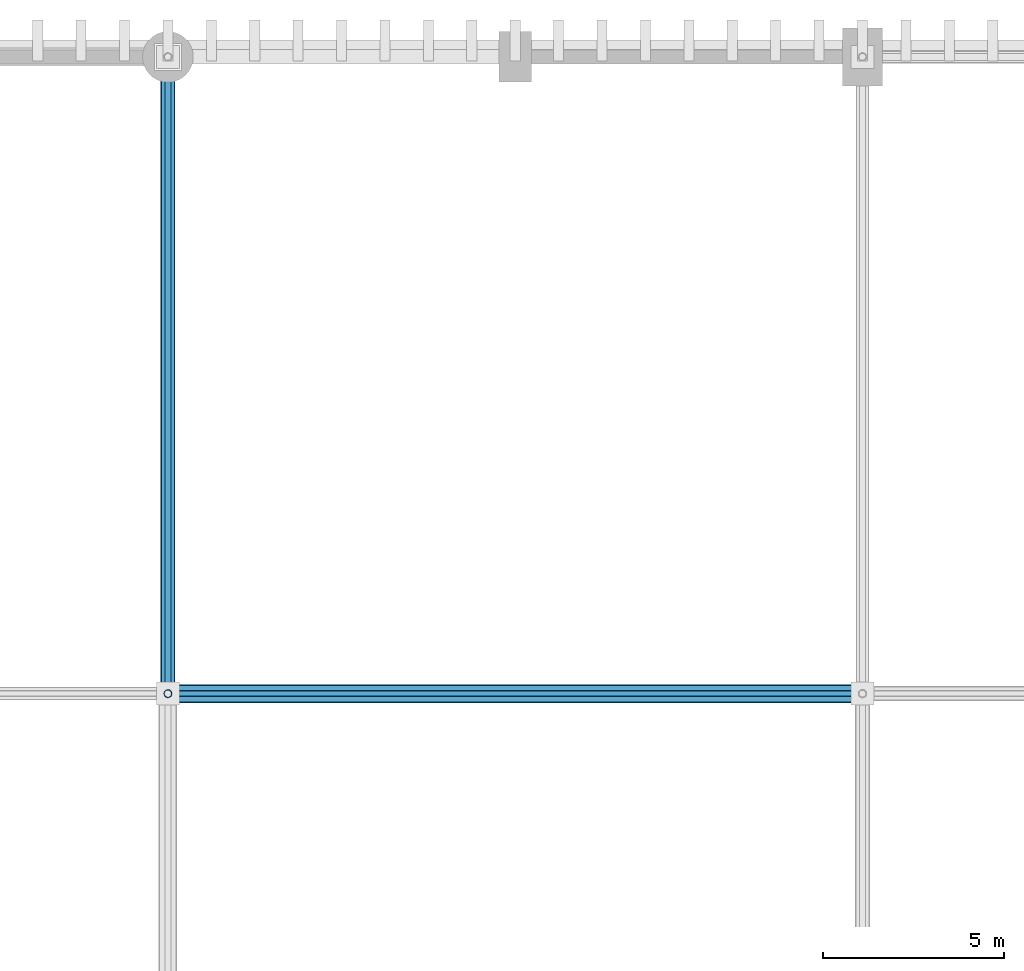
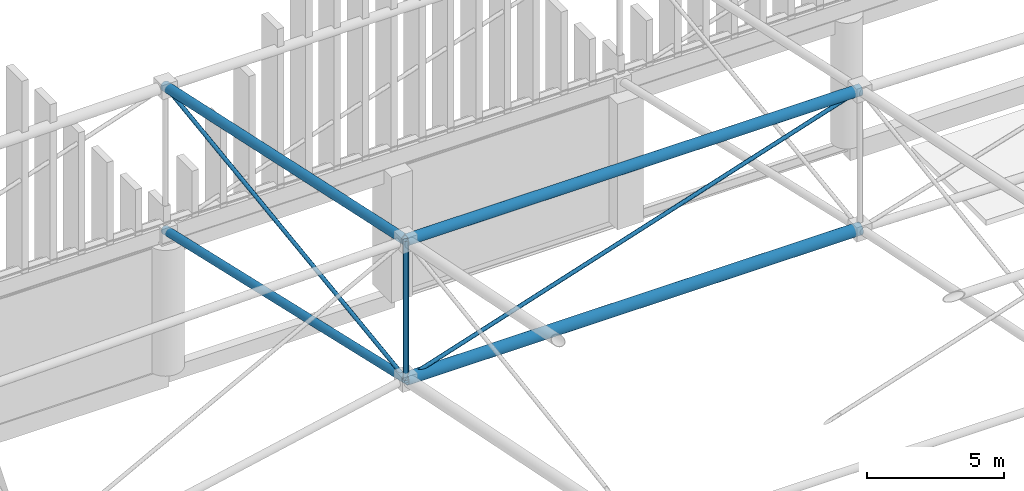
# One storey, part 123 of 193: 7 members.
"""IFC4 building model written with IfcOpenShell, lengths in metres."""

from ifc_helpers import new_model, si_unit, direction, frame, origin, origin_2d, place, context, subcontext, project, spatial, hollow_circle, extrude, material, material_profile, profile_set, type_object, element, save


model = new_model("IFC4")

# Units and contexts
model_context = context("Model", 3, precision=1e-05, world=origin(), true_north=direction((0.0, 1.0)))
body_context = subcontext(model_context, "Body", "Model", "MODEL_VIEW")
ifc_project = project(units=[si_unit("LENGTHUNIT", "METRE"), si_unit("AREAUNIT", "SQUARE_METRE"), si_unit("VOLUMEUNIT", "CUBIC_METRE"), si_unit("PLANEANGLEUNIT", "RADIAN"), si_unit("MASSUNIT", "GRAM", prefix="KILO")], contexts=[model_context])

# Site, building, storey
site_placement = place(None, origin())
site = spatial("IfcSite", under=ifc_project, at=site_placement, CompositionType="ELEMENT")
building_placement = place(site_placement, origin())
building = spatial("IfcBuilding", under=site, at=building_placement, Name="Danafjord Basin Convention Centre", CompositionType="ELEMENT")
storey_placement = place(building_placement, frame((0.0, 0.0, 11.39990234375)))
storey = spatial("IfcBuildingStorey", under=building, at=storey_placement, Name="L02", CompositionType="ELEMENT", Elevation=11.39990234375)

# Members
ifc_material = material(Name="Steel S355", Category="steel")
ifc_material_profile_1 = material_profile(ifc_material, hollow_circle(Radius=0.177734375, WallThickness=0.01611328125, at=origin_2d()), Name="CHS 355.6x16.0")
ifc_profile_set_1 = profile_set([ifc_material_profile_1], Name="Steel S355")
member_type_1 = type_object("IfcMemberType", Name="MEM-CH-CHS355", PredefinedType="CHORD", material=ifc_profile_set_1)
member_1_placement = place(storey_placement, frame((19.199951171875, 126.39990234375, 10.07080078125), z_axis=(0.0, 0.97488409866, -0.222712806503), x_axis=(-1.0, 0.0, 0.0)))
element("IfcMember", 1, at=member_1_placement, inside=storey, type_object=member_type_1, Name="V1 roof truss transverse bottom chord", PredefinedType="CHORD", context=body_context, shape_type="SweptSolid", body=[
    extrude(hollow_circle(Radius=0.177734375, WallThickness=0.01611328125, at=origin_2d()), origin(), (0.0, 0.0, 1.0), 18.053466796875),
])
ifc_material_profile_2 = material_profile(ifc_material, hollow_circle(Radius=0.203125, WallThickness=0.02001953125, at=origin_2d()), Name="CHS 406.4x20.0")
ifc_profile_set_2 = profile_set([ifc_material_profile_2], Name="Steel S355")
member_type_2 = type_object("IfcMemberType", Name="MEM-CH-CHS406", PredefinedType="CHORD", material=ifc_profile_set_2)
member_2_placement = place(storey_placement, frame((19.199951171875, 126.39990234375, 16.27099609375), z_axis=(0.0, 0.977523345498, -0.210827201773), x_axis=(-1.0, 0.0, 0.0)))
element("IfcMember", 2, at=member_2_placement, inside=storey, type_object=member_type_2, Name="V1 roof truss transverse top chord", PredefinedType="CHORD", context=body_context, shape_type="SweptSolid", body=[
    extrude(hollow_circle(Radius=0.203125, WallThickness=0.02001953125, at=origin_2d()), origin(), (0.0, 0.0, 1.0), 18.0048828125),
])
ifc_material_profile_3 = material_profile(ifc_material, hollow_circle(Radius=0.228515625, WallThickness=0.02001953125, at=origin_2d()), Name="CHS 457.0x20.0")
ifc_profile_set_3 = profile_set([ifc_material_profile_3], Name="Steel S355")
member_type_3 = type_object("IfcMemberType", Name="MEM-CH-CHS457", PredefinedType="CHORD", material=ifc_profile_set_3)
member_3_placement = place(storey_placement, frame((19.199951171875, 126.39990234375, 16.27099609375), z_axis=(1.0, 0.0, 0.0), x_axis=(0.0, 1.0, 0.0)))
element("IfcMember", 3, at=member_3_placement, inside=storey, type_object=member_type_3, Name="V1 roof truss longitudinal top chord", PredefinedType="CHORD", context=body_context, shape_type="SweptSolid", body=[
    extrude(hollow_circle(Radius=0.228515625, WallThickness=0.02001953125, at=origin_2d()), origin(), (0.0, 0.0, 1.0), 19.199951171875),
])
ifc_material_profile_4 = material_profile(ifc_material, hollow_circle(Radius=0.25390625, WallThickness=0.02490234375, at=origin_2d()), Name="CHS 508.0x25.0")
ifc_profile_set_4 = profile_set([ifc_material_profile_4], Name="Steel S355")
member_type_4 = type_object("IfcMemberType", Name="MEM-CH-CHS508", PredefinedType="CHORD", material=ifc_profile_set_4)
member_4_placement = place(storey_placement, frame((19.199951171875, 126.39990234375, 10.07080078125), z_axis=(1.0, 0.0, 0.0), x_axis=(0.0, 1.0, 0.0)))
element("IfcMember", 4, at=member_4_placement, inside=storey, type_object=member_type_4, Name="V1 roof truss longitudinal bottom chord", PredefinedType="CHORD", context=body_context, shape_type="SweptSolid", body=[
    extrude(hollow_circle(Radius=0.25390625, WallThickness=0.02490234375, at=origin_2d()), origin(), (0.0, 0.0, 1.0), 19.199951171875),
])
ifc_material_profile_5 = material_profile(ifc_material, hollow_circle(Radius=0.109619140625, WallThickness=0.010009765625, at=origin_2d()), Name="CHS 219.1x10.0")
ifc_profile_set_5 = profile_set([ifc_material_profile_5], Name="Steel S355")
member_type_5 = type_object("IfcMemberType", Name="MEM-ST-CHS219", PredefinedType="STRUT", material=ifc_profile_set_5)
member_5_placement = place(storey_placement, frame((19.199951171875, 126.39990234375, 10.07080078125), z_axis=(0.0, 0.0, 1.0), x_axis=(1.0, 0.0, 0.0)))
element("IfcMember", 5, at=member_5_placement, inside=storey, type_object=member_type_5, Name="V1 roof truss vertical strut", PredefinedType="STRUT", context=body_context, shape_type="SweptSolid", body=[
    extrude(hollow_circle(Radius=0.109619140625, WallThickness=0.010009765625, at=origin_2d()), origin(), (0.0, 0.0, 1.0), 6.2001953125),
])
ifc_material_profile_6 = material_profile(ifc_material, hollow_circle(Radius=0.084228515625, WallThickness=0.008056640625, at=origin_2d()), Name="CHS 168.3x8.0")
ifc_profile_set_6 = profile_set([ifc_material_profile_6], Name="Steel S355")
member_type_6 = type_object("IfcMemberType", Name="MEM-WB-CHS168", PredefinedType="MEMBER", material=ifc_profile_set_6)
member_6_placement = place(storey_placement, frame((19.199951171875, 126.39990234375, 10.07080078125), z_axis=(0.951612086859, 0.0, 0.307301864856), x_axis=(0.0, 1.0, 0.0)))
element("IfcMember", 6, at=member_6_placement, inside=storey, type_object=member_type_6, Name="V1 space-frame longitudinal web", PredefinedType="MEMBER", context=body_context, shape_type="SweptSolid", body=[
    extrude(hollow_circle(Radius=0.084228515625, WallThickness=0.008056640625, at=origin_2d()), origin(), (0.0, 0.0, 1.0), 20.17626953125),
])
member_7_placement = place(storey_placement, frame((19.199951171875, 126.39990234375, 10.07080078125), z_axis=(0.0, 0.990797856926, 0.13534994167), x_axis=(-1.0, 0.0, 0.0)))
element("IfcMember", 7, at=member_7_placement, inside=storey, type_object=member_type_6, Name="V1 space-frame transverse web", PredefinedType="MEMBER", context=body_context, shape_type="SweptSolid", body=[
    extrude(hollow_circle(Radius=0.084228515625, WallThickness=0.008056640625, at=origin_2d()), origin(), (0.0, 0.0, 1.0), 17.763671875),
])

save(model, "model.ifc")
